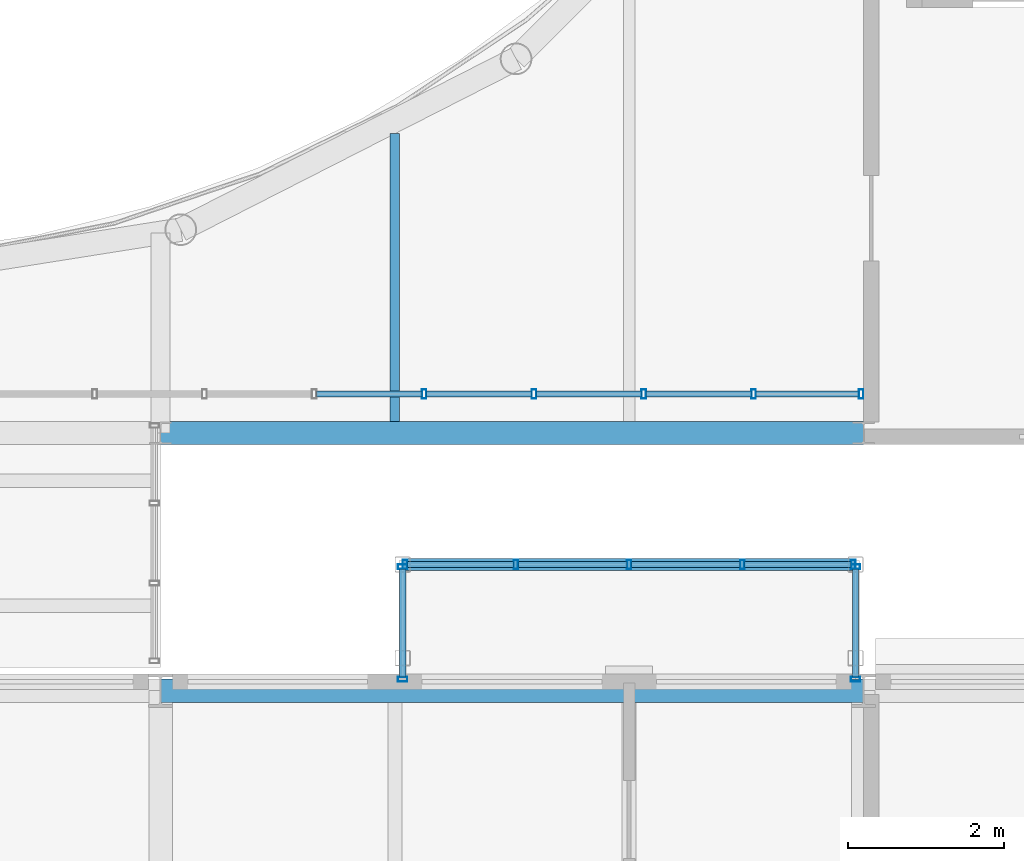
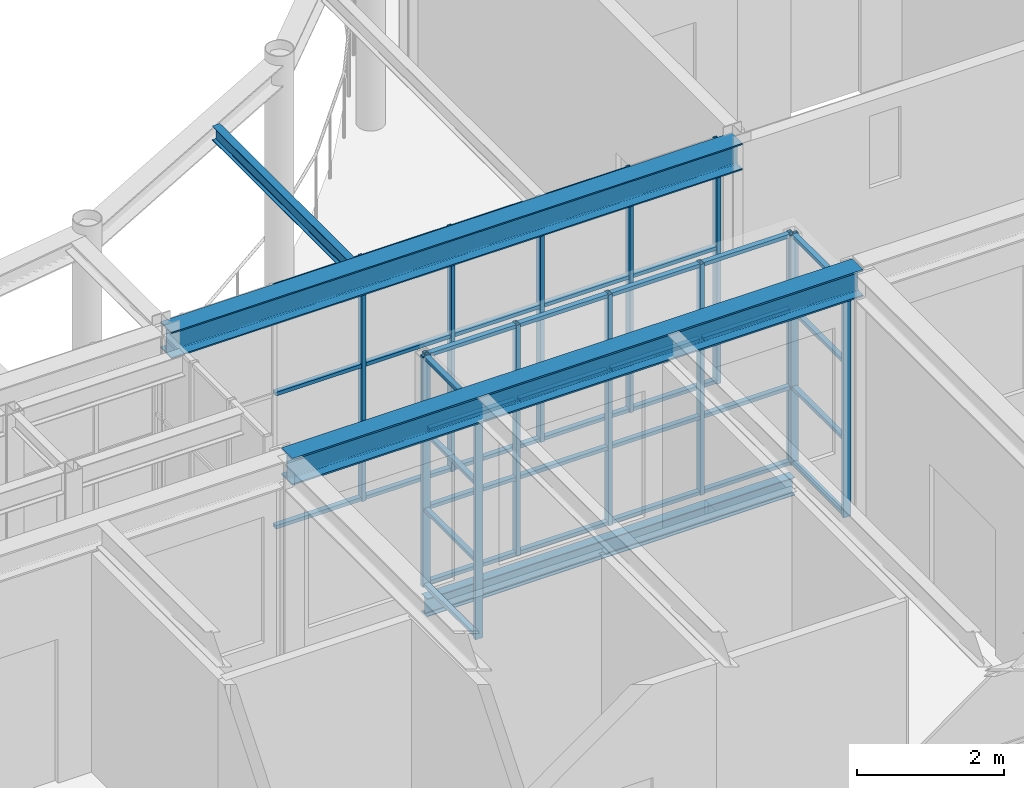
# One storey, part 32 of 70: 52 members, 4 beams, 4 elements without a shape of their own.
"""IFC4 building model written with IfcOpenShell, lengths in metres."""

import ifcopenshell
import ifcopenshell.guid

model = None  # the IFC model being written
_history = None  # IfcOwnerHistory: only IFC2X3 demands one
_inside = {}  # id of a spatial element -> (the spatial element, [elements in it])
_under = {}  # id of a project, library or spatial element -> (it, [spatial elements below it])
_declared = {}  # id of a project -> (the project, [libraries it declares])
_typed = {}  # id of a type object -> (the type object, [elements of that type])
_made_of = {}  # id of a material, layer set ... -> (it, [elements and type objects made of it])


def new_model(schema):
    """Start an empty IFC model of exactly this schema.

    Asked for "IFC4X3", IfcOpenShell would pick the latest addendum, in which some entities
    have other attributes; the version numbers below select the first issue.
    IFC2X3 requires an IfcOwnerHistory on every rooted entity: one is made here for all.
    """
    global model, _history
    if schema == "IFC4X3":
        model = ifcopenshell.file(schema_version=(4, 3, 0, 0))
    else:
        model = ifcopenshell.file(schema=schema)
    _inside.clear()
    _under.clear()
    _declared.clear()
    _typed.clear()
    _made_of.clear()
    _history = None
    if model.schema == "IFC2X3":
        org = make("IfcOrganization", Name="unknown")
        user = make(
            "IfcPersonAndOrganization",
            ThePerson=make("IfcPerson", FamilyName="unknown"),
            TheOrganization=org,
        )
        app = make(
            "IfcApplication",
            ApplicationDeveloper=org,
            Version="unknown",
            ApplicationFullName="unknown",
            ApplicationIdentifier="unknown",
        )
        _history = make(
            "IfcOwnerHistory",
            OwningUser=user,
            OwningApplication=app,
            ChangeAction="ADDED",
            CreationDate=0,
        )
    return model


def make(cls, **values):
    """One entity of the class cls with the attributes given. An attribute that is None is left unset."""
    return model.create_entity(
        cls, **{name: value for name, value in values.items() if value is not None}
    )


def rooted(cls, **values):
    """An entity with a GlobalId (a new one), such as an element, a storey or a relation."""
    return make(cls, GlobalId=ifcopenshell.guid.new(), OwnerHistory=_history, **values)


def si_unit(unit_type, name, prefix=None):
    """IfcSIUnit, for example si_unit("LENGTHUNIT", "METRE", prefix="MILLI")."""
    return make("IfcSIUnit", UnitType=unit_type, Prefix=prefix, Name=name)


def assignment(units):
    """IfcUnitAssignment: the units of a project."""
    return None if units is None else make("IfcUnitAssignment", Units=units)


def point(xyz):
    """IfcCartesianPoint."""
    return None if xyz is None else make("IfcCartesianPoint", Coordinates=xyz)


def direction(xyz):
    """IfcDirection."""
    return None if xyz is None else make("IfcDirection", DirectionRatios=xyz)


def frame(location, z_axis=None, x_axis=None):
    """IfcAxis2Placement3D, a coordinate frame: its origin and axes. An axis left out is left unset."""
    return make(
        "IfcAxis2Placement3D",
        Location=point(location),
        Axis=direction(z_axis),
        RefDirection=direction(x_axis),
    )


def frame_2d(location, x_axis=None):
    """IfcAxis2Placement2D, a coordinate frame in the plane: its origin and x axis."""
    return make(
        "IfcAxis2Placement2D", Location=point(location), RefDirection=direction(x_axis)
    )


def origin():
    """The frame at (0, 0, 0) with its axes left unset."""
    return frame((0.0, 0.0, 0.0))


def origin_2d():
    """The frame at (0, 0) in the plane with its x axis left unset."""
    return frame_2d((0.0, 0.0))


def place(relative_to, where):
    """IfcLocalPlacement: puts the frame where relative to a parent placement (None: the world)."""
    return make(
        "IfcLocalPlacement", PlacementRelTo=relative_to, RelativePlacement=where
    )


def context(
    kind, dimensions, precision=None, world=None, true_north=None, identifier=None
):
    """IfcGeometricRepresentationContext, for example the 3D "Model" context."""
    return make(
        "IfcGeometricRepresentationContext",
        ContextIdentifier=identifier,
        ContextType=kind,
        CoordinateSpaceDimension=dimensions,
        Precision=precision,
        WorldCoordinateSystem=world,
        TrueNorth=true_north,
    )


def subcontext(parent, identifier, kind, view, scale=None):
    """IfcGeometricRepresentationSubContext, for example "Body" below "Model"."""
    return make(
        "IfcGeometricRepresentationSubContext",
        ContextIdentifier=identifier,
        ContextType=kind,
        ParentContext=parent,
        TargetScale=scale,
        TargetView=view,
    )


def project(units=None, contexts=None):
    """IfcProject with its units and contexts."""
    return rooted(
        "IfcProject",
        Name="project",
        RepresentationContexts=contexts,
        UnitsInContext=assignment(units),
    )


def spatial(cls, under=None, at=None, **own):
    """A site, building, storey or space (cls), placed at a placement, below another one or the project."""
    s = rooted(cls, ObjectPlacement=at, **own)
    if under is not None:
        _under.setdefault(under.id(), (under, []))[1].append(s)
    return s


def profile(cls, at=None, kind="AREA", **sizes):
    """A parametric profile (cls). Its sizes go by their IFC names, for example OverallWidth=200.0."""
    return make(cls, ProfileType=kind, Position=at, **sizes)


def hollow_rectangle(**sizes):
    """IfcRectangleHollowProfileDef."""
    return profile("IfcRectangleHollowProfileDef", **sizes)


def i_section(**sizes):
    """IfcIShapeProfileDef."""
    return profile("IfcIShapeProfileDef", **sizes)


def extrude(swept, where, along, depth):
    """IfcExtrudedAreaSolid: the profile swept, set in the frame where, extruded along a direction by depth."""
    return make(
        "IfcExtrudedAreaSolid",
        SweptArea=swept,
        Position=where,
        ExtrudedDirection=direction(along),
        Depth=depth,
    )


def shape(context_of_items, identifier, shape_type, items):
    """IfcShapeRepresentation: the items that make up one representation, for example the "Body"."""
    return make(
        "IfcShapeRepresentation",
        ContextOfItems=context_of_items,
        RepresentationIdentifier=identifier,
        RepresentationType=shape_type,
        Items=items,
    )


def material(Name=None, Category=None):
    """IfcMaterial."""
    return make("IfcMaterial", Name=Name, Category=Category)


def layer(
    of_material, thickness, ventilated=None, Name=None, Category=None, Priority=None
):
    """IfcMaterialLayer: one layer of a wall or slab, of a material (None: an air gap)."""
    return make(
        "IfcMaterialLayer",
        Material=of_material,
        LayerThickness=thickness,
        IsVentilated=ventilated,
        Name=Name,
        Category=Category,
        Priority=Priority,
    )


def layer_set(layers, Name=None):
    """IfcMaterialLayerSet."""
    return make("IfcMaterialLayerSet", MaterialLayers=layers, LayerSetName=Name)


def material_profile(
    of_material, cross_section, Name=None, Category=None, Priority=None
):
    """IfcMaterialProfile: a cross section and its material."""
    return make(
        "IfcMaterialProfile",
        Name=Name,
        Material=of_material,
        Profile=cross_section,
        Priority=Priority,
        Category=Category,
    )


def profile_set(profiles, Name=None, composite=None):
    """IfcMaterialProfileSet."""
    return make(
        "IfcMaterialProfileSet",
        Name=Name,
        MaterialProfiles=profiles,
        CompositeProfile=composite,
    )


def made_of(thing, what):
    """Note that an element or type object is made of a material, layer set ...; save() writes the relation."""
    if what is not None:
        _made_of.setdefault(what.id(), (what, []))[1].append(thing)
    return thing


def type_object(cls, material=None, **own):
    """A type object (cls), such as IfcWallType, which elements share."""
    return made_of(rooted(cls, **own), material)


def element(
    cls,
    number,
    at=None,
    inside=None,
    cuts=None,
    type_object=None,
    material=None,
    context=None,
    identifier="Body",
    shape_type=None,
    held_by="IfcProductDefinitionShape",
    body=None,
    shapes=None,
    **own,
):
    """One element of the class cls, such as IfcWall. Its Tag is "e" and its number.

    at: its placement. inside: the storey or other place that contains it. cuts: it is an
    opening in that element (IfcRelVoidsElement). A single representation is given by context,
    identifier, shape_type and body (its items); several are given by shapes. held_by: the class
    of the entity that holds the representations. save() writes the other relations.
    """
    e = rooted(cls, Tag="e%d" % number, ObjectPlacement=at, **own)
    if body is not None:
        shapes = [shape(context, identifier, shape_type, body)]
    if shapes is not None:
        e.Representation = make(held_by, Representations=shapes)
    if inside is not None:
        _inside.setdefault(inside.id(), (inside, []))[1].append(e)
    if cuts is not None:
        rooted(
            "IfcRelVoidsElement", RelatingBuildingElement=cuts, RelatedOpeningElement=e
        )
    if type_object is not None:
        _typed.setdefault(type_object.id(), (type_object, []))[1].append(e)
    return made_of(e, material)


def aggregate(whole, parts):
    """IfcRelAggregates: a whole, such as a stair, and the parts it consists of."""
    return rooted("IfcRelAggregates", RelatingObject=whole, RelatedObjects=parts)


def save(model, path):
    """Write the relations noted so far, then the file.

    IfcRelAggregates (storeys below a building ...), IfcRelContainedInSpatialStructure (elements
    in a storey), IfcRelDefinesByType, IfcRelAssociatesMaterial and IfcRelDeclares: one each for
    every whole, place, type object, material and project.
    """
    for whole, parts in _under.values():
        aggregate(whole, parts)
    for where, things in _inside.values():
        rooted(
            "IfcRelContainedInSpatialStructure",
            RelatedElements=things,
            RelatingStructure=where,
        )
    for kind, things in _typed.values():
        rooted("IfcRelDefinesByType", RelatedObjects=things, RelatingType=kind)
    for what, things in _made_of.values():
        rooted("IfcRelAssociatesMaterial", RelatedObjects=things, RelatingMaterial=what)
    for by, libraries in _declared.values():
        rooted("IfcRelDeclares", RelatingContext=by, RelatedDefinitions=libraries)
    model.write(path)


model = new_model("IFC4")

# Units and contexts
model_context = context("Model", 3, precision=1e-05, world=origin(), true_north=direction((0.0, 1.0)))
body_context = subcontext(model_context, "Body", "Model", "MODEL_VIEW")
ifc_project = project(units=[si_unit("LENGTHUNIT", "METRE"), si_unit("AREAUNIT", "SQUARE_METRE"), si_unit("VOLUMEUNIT", "CUBIC_METRE"), si_unit("PLANEANGLEUNIT", "RADIAN"), si_unit("MASSUNIT", "GRAM", prefix="KILO")], contexts=[model_context])

# Site, building, storey
site_placement = place(None, origin())
site = spatial("IfcSite", under=ifc_project, at=site_placement, CompositionType="ELEMENT")
building_placement = place(site_placement, origin())
building = spatial("IfcBuilding", under=site, at=building_placement, Name="Kallimachos Central Library", CompositionType="ELEMENT")
storey_placement = place(building_placement, frame((0.0, 0.0, 18.89990234375)))
storey = spatial("IfcBuildingStorey", under=building, at=storey_placement, Name="L04", CompositionType="ELEMENT", Elevation=18.89990234375)

# Curtain wall, members
ifc_material_1 = material(Name="Anodised aluminium and laminated glass", Category="aluminium")
ifc_layer = layer(ifc_material_1, 0.159912109375)
ifc_layer_set = layer_set([ifc_layer], Name="Glass box curtain wall")
curtain_wall_type_1 = type_object("IfcCurtainWallType", Name="Glass box curtain wall", PredefinedType="NOTDEFINED", material=ifc_layer_set)
curtain_wall_1_placement = place(storey_placement, origin())
curtain_wall_1 = element("IfcCurtainWall", 1, at=curtain_wall_1_placement, inside=storey, type_object=curtain_wall_type_1, Name="Glass box curtain wall S L04", PredefinedType="NOTDEFINED")
ifc_material_2 = material(Name="Anodised aluminium", Category="aluminium")
ifc_material_profile_1 = material_profile(ifc_material_2, hollow_rectangle(XDim=0.06005859375, YDim=0.1201171875, WallThickness=0.00390625, at=origin_2d()), Name="ALU MULLION 60x120")
ifc_profile_set_1 = profile_set([ifc_material_profile_1], Name="Anodised aluminium")
member_type_1 = type_object("IfcMemberType", Name="Glass box mullion 60x120", PredefinedType="MULLION", material=ifc_profile_set_1)
member_1_placement = place(storey_placement, frame((95.875, 87.64990234375, 0.0), z_axis=(0.0, 0.0, 1.0), x_axis=(1.0, 0.0, 0.0)))
member_1 = element("IfcMember", 2, at=member_1_placement, type_object=member_type_1, Name="CW29 mullion 5", PredefinedType="MULLION", context=body_context, shape_type="SweptSolid", body=[
    extrude(hollow_rectangle(XDim=0.06005859375, YDim=0.1201171875, WallThickness=0.00390625, at=origin_2d()), origin(), (0.0, 0.0, 1.0), 4.050048828125),
])
member_2_placement = place(storey_placement, frame((97.28125, 87.64990234375, 0.0), z_axis=(0.0, 0.0, 1.0), x_axis=(1.0, 0.0, 0.0)))
member_2 = element("IfcMember", 3, at=member_2_placement, type_object=member_type_1, Name="CW29 mullion 6", PredefinedType="MULLION", context=body_context, shape_type="SweptSolid", body=[
    extrude(hollow_rectangle(XDim=0.06005859375, YDim=0.1201171875, WallThickness=0.00390625, at=origin_2d()), origin(), (0.0, 0.0, 1.0), 4.050048828125),
])
member_3_placement = place(storey_placement, frame((98.6875, 87.64990234375, 0.0), z_axis=(0.0, 0.0, 1.0), x_axis=(1.0, 0.0, 0.0)))
member_3 = element("IfcMember", 4, at=member_3_placement, type_object=member_type_1, Name="CW29 mullion 7", PredefinedType="MULLION", context=body_context, shape_type="SweptSolid", body=[
    extrude(hollow_rectangle(XDim=0.06005859375, YDim=0.1201171875, WallThickness=0.00390625, at=origin_2d()), origin(), (0.0, 0.0, 1.0), 4.050048828125),
])
member_4_placement = place(storey_placement, frame((100.09375, 87.64990234375, 0.0), z_axis=(0.0, 0.0, 1.0), x_axis=(1.0, 0.0, 0.0)))
member_4 = element("IfcMember", 5, at=member_4_placement, type_object=member_type_1, Name="CW29 mullion 8", PredefinedType="MULLION", context=body_context, shape_type="SweptSolid", body=[
    extrude(hollow_rectangle(XDim=0.06005859375, YDim=0.1201171875, WallThickness=0.00390625, at=origin_2d()), origin(), (0.0, 0.0, 1.0), 4.050048828125),
])
member_5_placement = place(storey_placement, frame((101.469970703125, 87.64990234375, 0.0), z_axis=(0.0, 0.0, 1.0), x_axis=(1.0, 0.0, 0.0)))
member_5 = element("IfcMember", 6, at=member_5_placement, type_object=member_type_1, Name="CW29 mullion 9", PredefinedType="MULLION", context=body_context, shape_type="SweptSolid", body=[
    extrude(hollow_rectangle(XDim=0.06005859375, YDim=0.1201171875, WallThickness=0.00390625, at=origin_2d()), origin(), (0.0, 0.0, 1.0), 4.050048828125),
])
ifc_material_3 = material(Name="Anodised aluminium", Category="aluminium")
ifc_material_profile_2 = material_profile(ifc_material_3, hollow_rectangle(XDim=0.06005859375, YDim=0.080078125, WallThickness=0.00390625, at=origin_2d()), Name="ALU TRANSOM 60x80")
ifc_profile_set_2 = profile_set([ifc_material_profile_2], Name="Anodised aluminium")
member_type_2 = type_object("IfcMemberType", Name="Glass box transom 60x80", PredefinedType="USERDEFINED", material=ifc_profile_set_2)
member_6_placement = place(storey_placement, frame((94.498779296875, 87.64990234375, 0.030029296875), z_axis=(1.0, 0.0, 0.0), x_axis=(0.0, 0.0, 1.0)))
member_6 = element("IfcMember", 7, at=member_6_placement, type_object=member_type_2, Name="CW29 transom 4.1", ObjectType="TRANSOM", PredefinedType="USERDEFINED", context=body_context, shape_type="SweptSolid", body=[
    extrude(hollow_rectangle(XDim=0.06005859375, YDim=0.080078125, WallThickness=0.00390625, at=origin_2d()), origin(), (0.0, 0.0, 1.0), 1.34619140625),
])
member_7_placement = place(storey_placement, frame((94.498779296875, 87.64990234375, 2.25), z_axis=(1.0, 0.0, 0.0), x_axis=(0.0, 0.0, 1.0)))
member_7 = element("IfcMember", 8, at=member_7_placement, type_object=member_type_2, Name="CW29 transom 4.2", ObjectType="TRANSOM", PredefinedType="USERDEFINED", context=body_context, shape_type="SweptSolid", body=[
    extrude(hollow_rectangle(XDim=0.06005859375, YDim=0.080078125, WallThickness=0.00390625, at=origin_2d()), origin(), (0.0, 0.0, 1.0), 1.34619140625),
])
member_8_placement = place(storey_placement, frame((94.498779296875, 87.64990234375, 4.02001953125), z_axis=(1.0, 0.0, 0.0), x_axis=(0.0, 0.0, 1.0)))
member_8 = element("IfcMember", 9, at=member_8_placement, type_object=member_type_2, Name="CW29 transom 4.3", ObjectType="TRANSOM", PredefinedType="USERDEFINED", context=body_context, shape_type="SweptSolid", body=[
    extrude(hollow_rectangle(XDim=0.06005859375, YDim=0.080078125, WallThickness=0.00390625, at=origin_2d()), origin(), (0.0, 0.0, 1.0), 1.34619140625),
])
member_9_placement = place(storey_placement, frame((95.905029296875, 87.64990234375, 0.030029296875), z_axis=(1.0, 0.0, 0.0), x_axis=(0.0, 0.0, 1.0)))
member_9 = element("IfcMember", 10, at=member_9_placement, type_object=member_type_2, Name="CW29 transom 5.1", ObjectType="TRANSOM", PredefinedType="USERDEFINED", context=body_context, shape_type="SweptSolid", body=[
    extrude(hollow_rectangle(XDim=0.06005859375, YDim=0.080078125, WallThickness=0.00390625, at=origin_2d()), origin(), (0.0, 0.0, 1.0), 1.34619140625),
])
member_10_placement = place(storey_placement, frame((95.905029296875, 87.64990234375, 2.25), z_axis=(1.0, 0.0, 0.0), x_axis=(0.0, 0.0, 1.0)))
member_10 = element("IfcMember", 11, at=member_10_placement, type_object=member_type_2, Name="CW29 transom 5.2", ObjectType="TRANSOM", PredefinedType="USERDEFINED", context=body_context, shape_type="SweptSolid", body=[
    extrude(hollow_rectangle(XDim=0.06005859375, YDim=0.080078125, WallThickness=0.00390625, at=origin_2d()), origin(), (0.0, 0.0, 1.0), 1.34619140625),
])
member_11_placement = place(storey_placement, frame((95.905029296875, 87.64990234375, 4.02001953125), z_axis=(1.0, 0.0, 0.0), x_axis=(0.0, 0.0, 1.0)))
member_11 = element("IfcMember", 12, at=member_11_placement, type_object=member_type_2, Name="CW29 transom 5.3", ObjectType="TRANSOM", PredefinedType="USERDEFINED", context=body_context, shape_type="SweptSolid", body=[
    extrude(hollow_rectangle(XDim=0.06005859375, YDim=0.080078125, WallThickness=0.00390625, at=origin_2d()), origin(), (0.0, 0.0, 1.0), 1.34619140625),
])
member_12_placement = place(storey_placement, frame((97.311279296875, 87.64990234375, 0.030029296875), z_axis=(1.0, 0.0, 0.0), x_axis=(0.0, 0.0, 1.0)))
member_12 = element("IfcMember", 13, at=member_12_placement, type_object=member_type_2, Name="CW29 transom 6.1", ObjectType="TRANSOM", PredefinedType="USERDEFINED", context=body_context, shape_type="SweptSolid", body=[
    extrude(hollow_rectangle(XDim=0.06005859375, YDim=0.080078125, WallThickness=0.00390625, at=origin_2d()), origin(), (0.0, 0.0, 1.0), 1.34619140625),
])
member_13_placement = place(storey_placement, frame((97.311279296875, 87.64990234375, 2.25), z_axis=(1.0, 0.0, 0.0), x_axis=(0.0, 0.0, 1.0)))
member_13 = element("IfcMember", 14, at=member_13_placement, type_object=member_type_2, Name="CW29 transom 6.2", ObjectType="TRANSOM", PredefinedType="USERDEFINED", context=body_context, shape_type="SweptSolid", body=[
    extrude(hollow_rectangle(XDim=0.06005859375, YDim=0.080078125, WallThickness=0.00390625, at=origin_2d()), origin(), (0.0, 0.0, 1.0), 1.34619140625),
])
member_14_placement = place(storey_placement, frame((97.311279296875, 87.64990234375, 4.02001953125), z_axis=(1.0, 0.0, 0.0), x_axis=(0.0, 0.0, 1.0)))
member_14 = element("IfcMember", 15, at=member_14_placement, type_object=member_type_2, Name="CW29 transom 6.3", ObjectType="TRANSOM", PredefinedType="USERDEFINED", context=body_context, shape_type="SweptSolid", body=[
    extrude(hollow_rectangle(XDim=0.06005859375, YDim=0.080078125, WallThickness=0.00390625, at=origin_2d()), origin(), (0.0, 0.0, 1.0), 1.34619140625),
])
member_15_placement = place(storey_placement, frame((98.717529296875, 87.64990234375, 0.030029296875), z_axis=(1.0, 0.0, 0.0), x_axis=(0.0, 0.0, 1.0)))
member_15 = element("IfcMember", 16, at=member_15_placement, type_object=member_type_2, Name="CW29 transom 7.1", ObjectType="TRANSOM", PredefinedType="USERDEFINED", context=body_context, shape_type="SweptSolid", body=[
    extrude(hollow_rectangle(XDim=0.06005859375, YDim=0.080078125, WallThickness=0.00390625, at=origin_2d()), origin(), (0.0, 0.0, 1.0), 1.34619140625),
])
member_16_placement = place(storey_placement, frame((98.717529296875, 87.64990234375, 2.25), z_axis=(1.0, 0.0, 0.0), x_axis=(0.0, 0.0, 1.0)))
member_16 = element("IfcMember", 17, at=member_16_placement, type_object=member_type_2, Name="CW29 transom 7.2", ObjectType="TRANSOM", PredefinedType="USERDEFINED", context=body_context, shape_type="SweptSolid", body=[
    extrude(hollow_rectangle(XDim=0.06005859375, YDim=0.080078125, WallThickness=0.00390625, at=origin_2d()), origin(), (0.0, 0.0, 1.0), 1.34619140625),
])
member_17_placement = place(storey_placement, frame((98.717529296875, 87.64990234375, 4.02001953125), z_axis=(1.0, 0.0, 0.0), x_axis=(0.0, 0.0, 1.0)))
member_17 = element("IfcMember", 18, at=member_17_placement, type_object=member_type_2, Name="CW29 transom 7.3", ObjectType="TRANSOM", PredefinedType="USERDEFINED", context=body_context, shape_type="SweptSolid", body=[
    extrude(hollow_rectangle(XDim=0.06005859375, YDim=0.080078125, WallThickness=0.00390625, at=origin_2d()), origin(), (0.0, 0.0, 1.0), 1.34619140625),
])
member_18_placement = place(storey_placement, frame((100.123779296875, 87.64990234375, 0.030029296875), z_axis=(1.0, 0.0, 0.0), x_axis=(0.0, 0.0, 1.0)))
member_18 = element("IfcMember", 19, at=member_18_placement, type_object=member_type_2, Name="CW29 transom 8.1", ObjectType="TRANSOM", PredefinedType="USERDEFINED", context=body_context, shape_type="SweptSolid", body=[
    extrude(hollow_rectangle(XDim=0.06005859375, YDim=0.080078125, WallThickness=0.00390625, at=origin_2d()), origin(), (0.0, 0.0, 1.0), 1.316162109375),
])
member_19_placement = place(storey_placement, frame((100.123779296875, 87.64990234375, 2.25), z_axis=(1.0, 0.0, 0.0), x_axis=(0.0, 0.0, 1.0)))
member_19 = element("IfcMember", 20, at=member_19_placement, type_object=member_type_2, Name="CW29 transom 8.2", ObjectType="TRANSOM", PredefinedType="USERDEFINED", context=body_context, shape_type="SweptSolid", body=[
    extrude(hollow_rectangle(XDim=0.06005859375, YDim=0.080078125, WallThickness=0.00390625, at=origin_2d()), origin(), (0.0, 0.0, 1.0), 1.316162109375),
])
aggregate(curtain_wall_1, [member_1, member_2, member_3, member_4, member_5, member_6, member_7, member_8, member_9, member_10, member_11, member_12, member_13, member_14, member_15, member_16, member_17, member_18, member_19])

# Beams
ifc_material_4 = material(Name="Steel S355J2", Category="steel")
ifc_material_profile_3 = material_profile(ifc_material_4, i_section(OverallWidth=0.300048828125, OverallDepth=0.43994140625, WebThickness=0.011474609375, FlangeThickness=0.02099609375, FilletRadius=0.027099609375, at=origin_2d()), Name="HEA 450")
ifc_profile_set_3 = profile_set([ifc_material_profile_3], Name="Steel S355J2")
beam_type_1 = type_object("IfcBeamType", Name="HEA 450 beam", PredefinedType="BEAM", material=ifc_profile_set_3)
beam_1_placement = place(storey_placement, frame((92.5, 87.14990234375, 4.130126953125), z_axis=(1.0, 0.0, 0.0), x_axis=(0.0, 1.0, 0.0)))
element("IfcBeam", 21, at=beam_1_placement, inside=storey, type_object=beam_type_1, Name="V1-BEM-L04-041", PredefinedType="BEAM", context=body_context, shape_type="SweptSolid", body=[
    extrude(i_section(OverallWidth=0.300048828125, OverallDepth=0.43994140625, WebThickness=0.011474609375, FlangeThickness=0.02099609375, FilletRadius=0.027099609375, at=origin_2d()), origin(), (0.0, 0.0, 1.0), 9.0),
])
ifc_material_5 = material(Name="Steel S355J2", Category="steel")
ifc_material_profile_4 = material_profile(ifc_material_5, i_section(OverallWidth=0.300048828125, OverallDepth=0.449951171875, WebThickness=0.013916015625, FlangeThickness=0.02587890625, FilletRadius=0.027099609375, at=origin_2d()), Name="HEB 450")
ifc_profile_set_4 = profile_set([ifc_material_profile_4], Name="Steel S355J2")
beam_type_2 = type_object("IfcBeamType", Name="HEB 450 beam", PredefinedType="BEAM", material=ifc_profile_set_4)
beam_2_placement = place(storey_placement, frame((92.5, 83.85009765625, 4.025146484375), z_axis=(1.0, 0.0, 0.0), x_axis=(0.0, 1.0, 0.0)))
element("IfcBeam", 22, at=beam_2_placement, inside=storey, type_object=beam_type_2, Name="V4-BEM-L04-007", PredefinedType="BEAM", context=body_context, shape_type="SweptSolid", body=[
    extrude(i_section(OverallWidth=0.300048828125, OverallDepth=0.449951171875, WebThickness=0.013916015625, FlangeThickness=0.02587890625, FilletRadius=0.027099609375, at=origin_2d()), origin(), (0.0, 0.0, 1.0), 9.0),
])
ifc_material_6 = material(Name="Steel S355J2", Category="steel")
ifc_material_profile_5 = material_profile(ifc_material_6, i_section(OverallWidth=0.1201171875, OverallDepth=0.239990234375, WebThickness=0.006103515625, FlangeThickness=0.009765625, FilletRadius=0.014892578125, at=origin_2d()), Name="IPE 240")
ifc_profile_set_5 = profile_set([ifc_material_profile_5], Name="Steel S355J2")
beam_type_3 = type_object("IfcBeamType", Name="IPE 240 beam", PredefinedType="BEAM", material=ifc_profile_set_5)
beam_3_placement = place(storey_placement, frame((95.5, 87.300048828125, 4.22998046875), z_axis=(0.0, 1.0, 0.0), x_axis=(-1.0, 0.0, 0.0)))
element("IfcBeam", 23, at=beam_3_placement, inside=storey, type_object=beam_type_3, Name="V1-BEM-L04-061", PredefinedType="BEAM", context=body_context, shape_type="SweptSolid", body=[
    extrude(i_section(OverallWidth=0.1201171875, OverallDepth=0.239990234375, WebThickness=0.006103515625, FlangeThickness=0.009765625, FilletRadius=0.014892578125, at=origin_2d()), origin(), (0.0, 0.0, 1.0), 3.681884765625),
])
ifc_material_7 = material(Name="Steel S355J2", Category="steel")
ifc_material_profile_6 = material_profile(ifc_material_7, i_section(OverallWidth=0.14990234375, OverallDepth=0.300048828125, WebThickness=0.007080078125, FlangeThickness=0.0107421875, FilletRadius=0.014892578125, at=origin_2d()), Name="IPE 300")
ifc_profile_set_6 = profile_set([ifc_material_profile_6], Name="Steel S355J2")
beam_type_4 = type_object("IfcBeamType", Name="IPE 300 beam", PredefinedType="BEAM", material=ifc_profile_set_6)
beam_4_placement = place(storey_placement, frame((95.60009765625, 85.466064453125, -0.349853515625), z_axis=(1.0, 0.0, 0.0), x_axis=(0.0, 1.0, 0.0)))
element("IfcBeam", 24, at=beam_4_placement, inside=storey, type_object=beam_type_4, Name="Tribune bay N2 edge beam L04", PredefinedType="BEAM", context=body_context, shape_type="SweptSolid", body=[
    extrude(i_section(OverallWidth=0.14990234375, OverallDepth=0.300048828125, WebThickness=0.007080078125, FlangeThickness=0.0107421875, FilletRadius=0.014892578125, at=origin_2d()), origin(), (0.0, 0.0, 1.0), 5.7998046875),
])

# Curtain wall, members
ifc_material_8 = material(Name="Aluminium and laminated glass", Category="aluminium")
curtain_wall_type_2 = type_object("IfcCurtainWallType", Name="Tribune bay glazed screen", PredefinedType="NOTDEFINED", material=ifc_material_8)
curtain_wall_2_placement = place(storey_placement, origin())
curtain_wall_2 = element("IfcCurtainWall", 25, at=curtain_wall_2_placement, inside=storey, type_object=curtain_wall_type_2, Name="Tribune bay N2 L04 front", PredefinedType="NOTDEFINED")
ifc_material_9 = material(Name="Anodised aluminium", Category="aluminium")
ifc_material_profile_7 = material_profile(ifc_material_9, hollow_rectangle(XDim=0.06005859375, YDim=0.1201171875, WallThickness=0.00390625, at=origin_2d()), Name="ALU MULLION 60x120")
ifc_profile_set_7 = profile_set([ifc_material_profile_7], Name="Anodised aluminium")
member_type_3 = type_object("IfcMemberType", Name="Tribune bay mullion", PredefinedType="MULLION", material=ifc_profile_set_7)
member_20_placement = place(storey_placement, frame((95.6298828125, 85.466064453125, 0.0), z_axis=(0.0, 0.0, 1.0), x_axis=(1.0, 0.0, 0.0)))
member_20 = element("IfcMember", 26, at=member_20_placement, type_object=member_type_3, Name="CW mullion 1", PredefinedType="MULLION", context=body_context, shape_type="SweptSolid", body=[
    extrude(hollow_rectangle(XDim=0.06005859375, YDim=0.1201171875, WallThickness=0.00390625, at=origin_2d()), origin(), (0.0, 0.0, 1.0), 3.85009765625),
])
member_21_placement = place(storey_placement, frame((97.050048828125, 85.466064453125, 0.0), z_axis=(0.0, 0.0, 1.0), x_axis=(1.0, 0.0, 0.0)))
member_21 = element("IfcMember", 27, at=member_21_placement, type_object=member_type_3, Name="CW mullion 2", PredefinedType="MULLION", context=body_context, shape_type="SweptSolid", body=[
    extrude(hollow_rectangle(XDim=0.06005859375, YDim=0.1201171875, WallThickness=0.00390625, at=origin_2d()), origin(), (0.0, 0.0, 1.0), 3.85009765625),
])
member_22_placement = place(storey_placement, frame((98.5, 85.466064453125, 0.0), z_axis=(0.0, 0.0, 1.0), x_axis=(1.0, 0.0, 0.0)))
member_22 = element("IfcMember", 28, at=member_22_placement, type_object=member_type_3, Name="CW mullion 3", PredefinedType="MULLION", context=body_context, shape_type="SweptSolid", body=[
    extrude(hollow_rectangle(XDim=0.06005859375, YDim=0.1201171875, WallThickness=0.00390625, at=origin_2d()), origin(), (0.0, 0.0, 1.0), 3.85009765625),
])
member_23_placement = place(storey_placement, frame((99.949951171875, 85.466064453125, 0.0), z_axis=(0.0, 0.0, 1.0), x_axis=(1.0, 0.0, 0.0)))
member_23 = element("IfcMember", 29, at=member_23_placement, type_object=member_type_3, Name="CW mullion 4", PredefinedType="MULLION", context=body_context, shape_type="SweptSolid", body=[
    extrude(hollow_rectangle(XDim=0.06005859375, YDim=0.1201171875, WallThickness=0.00390625, at=origin_2d()), origin(), (0.0, 0.0, 1.0), 3.85009765625),
])
member_24_placement = place(storey_placement, frame((101.3701171875, 85.466064453125, 0.0), z_axis=(0.0, 0.0, 1.0), x_axis=(1.0, 0.0, 0.0)))
member_24 = element("IfcMember", 30, at=member_24_placement, type_object=member_type_3, Name="CW mullion 5", PredefinedType="MULLION", context=body_context, shape_type="SweptSolid", body=[
    extrude(hollow_rectangle(XDim=0.06005859375, YDim=0.1201171875, WallThickness=0.00390625, at=origin_2d()), origin(), (0.0, 0.0, 1.0), 3.85009765625),
])

curtain_wall_3_placement = place(storey_placement, origin())
curtain_wall_3 = element("IfcCurtainWall", 31, at=curtain_wall_3_placement, inside=storey, type_object=curtain_wall_type_2, Name="Tribune bay N2 L04 return 1", PredefinedType="NOTDEFINED")
member_25_placement = place(storey_placement, frame((95.60009765625, 83.99609375, 0.0), z_axis=(0.0, 0.0, 1.0), x_axis=(0.0, 1.0, 0.0)))
member_25 = element("IfcMember", 32, at=member_25_placement, type_object=member_type_3, Name="CW mullion 1", PredefinedType="MULLION", context=body_context, shape_type="SweptSolid", body=[
    extrude(hollow_rectangle(XDim=0.06005859375, YDim=0.1201171875, WallThickness=0.00390625, at=origin_2d()), origin(), (0.0, 0.0, 1.0), 3.85009765625),
])
member_26_placement = place(storey_placement, frame((95.60009765625, 85.43603515625, 0.0), z_axis=(0.0, 0.0, 1.0), x_axis=(0.0, 1.0, 0.0)))
member_26 = element("IfcMember", 33, at=member_26_placement, type_object=member_type_3, Name="CW mullion 2", PredefinedType="MULLION", context=body_context, shape_type="SweptSolid", body=[
    extrude(hollow_rectangle(XDim=0.06005859375, YDim=0.1201171875, WallThickness=0.00390625, at=origin_2d()), origin(), (0.0, 0.0, 1.0), 3.85009765625),
])

curtain_wall_4_placement = place(storey_placement, origin())
curtain_wall_4 = element("IfcCurtainWall", 34, at=curtain_wall_4_placement, inside=storey, type_object=curtain_wall_type_2, Name="Tribune bay N2 L04 return 2", PredefinedType="NOTDEFINED")
member_27_placement = place(storey_placement, frame((101.39990234375, 83.99609375, 0.0), z_axis=(0.0, 0.0, 1.0), x_axis=(0.0, 1.0, 0.0)))
member_27 = element("IfcMember", 35, at=member_27_placement, type_object=member_type_3, Name="CW mullion 1", PredefinedType="MULLION", context=body_context, shape_type="SweptSolid", body=[
    extrude(hollow_rectangle(XDim=0.06005859375, YDim=0.1201171875, WallThickness=0.00390625, at=origin_2d()), origin(), (0.0, 0.0, 1.0), 3.85009765625),
])
member_28_placement = place(storey_placement, frame((101.39990234375, 85.43603515625, 0.0), z_axis=(0.0, 0.0, 1.0), x_axis=(0.0, 1.0, 0.0)))
member_28 = element("IfcMember", 36, at=member_28_placement, type_object=member_type_3, Name="CW mullion 2", PredefinedType="MULLION", context=body_context, shape_type="SweptSolid", body=[
    extrude(hollow_rectangle(XDim=0.06005859375, YDim=0.1201171875, WallThickness=0.00390625, at=origin_2d()), origin(), (0.0, 0.0, 1.0), 3.85009765625),
])

# Member
ifc_material_10 = material(Name="Anodised aluminium", Category="aluminium")
ifc_material_profile_8 = material_profile(ifc_material_10, hollow_rectangle(XDim=0.06005859375, YDim=0.080078125, WallThickness=0.00390625, at=origin_2d()), Name="ALU TRANSOM 60x80")
ifc_profile_set_8 = profile_set([ifc_material_profile_8], Name="Anodised aluminium")
member_type_4 = type_object("IfcMemberType", Name="Tribune bay transom", PredefinedType="USERDEFINED", material=ifc_profile_set_8)
member_29_placement = place(storey_placement, frame((95.659912109375, 85.466064453125, 0.030029296875), z_axis=(1.0, 0.0, 0.0), x_axis=(0.0, 0.0, 1.0)))
member_29 = element("IfcMember", 37, at=member_29_placement, type_object=member_type_4, Name="CW transom 1.1", ObjectType="TRANSOM", PredefinedType="USERDEFINED", context=body_context, shape_type="SweptSolid", body=[
    extrude(hollow_rectangle(XDim=0.06005859375, YDim=0.080078125, WallThickness=0.00390625, at=origin_2d()), origin(), (0.0, 0.0, 1.0), 1.360107421875),
])

member_30_placement = place(storey_placement, frame((95.659912109375, 85.466064453125, 1.283447265625), z_axis=(1.0, 0.0, 0.0), x_axis=(0.0, 0.0, 1.0)))
member_30 = element("IfcMember", 38, at=member_30_placement, type_object=member_type_4, Name="CW transom 1.2", ObjectType="TRANSOM", PredefinedType="USERDEFINED", context=body_context, shape_type="SweptSolid", body=[
    extrude(hollow_rectangle(XDim=0.06005859375, YDim=0.080078125, WallThickness=0.00390625, at=origin_2d()), origin(), (0.0, 0.0, 1.0), 1.360107421875),
])

member_31_placement = place(storey_placement, frame((95.659912109375, 85.466064453125, 2.566650390625), z_axis=(1.0, 0.0, 0.0), x_axis=(0.0, 0.0, 1.0)))
member_31 = element("IfcMember", 39, at=member_31_placement, type_object=member_type_4, Name="CW transom 1.3", ObjectType="TRANSOM", PredefinedType="USERDEFINED", context=body_context, shape_type="SweptSolid", body=[
    extrude(hollow_rectangle(XDim=0.06005859375, YDim=0.080078125, WallThickness=0.00390625, at=origin_2d()), origin(), (0.0, 0.0, 1.0), 1.360107421875),
])

member_32_placement = place(storey_placement, frame((95.659912109375, 85.466064453125, 3.820068359375), z_axis=(1.0, 0.0, 0.0), x_axis=(0.0, 0.0, 1.0)))
member_32 = element("IfcMember", 40, at=member_32_placement, type_object=member_type_4, Name="CW transom 1.4", ObjectType="TRANSOM", PredefinedType="USERDEFINED", context=body_context, shape_type="SweptSolid", body=[
    extrude(hollow_rectangle(XDim=0.06005859375, YDim=0.080078125, WallThickness=0.00390625, at=origin_2d()), origin(), (0.0, 0.0, 1.0), 1.360107421875),
])

member_33_placement = place(storey_placement, frame((97.080078125, 85.466064453125, 0.030029296875), z_axis=(1.0, 0.0, 0.0), x_axis=(0.0, 0.0, 1.0)))
member_33 = element("IfcMember", 41, at=member_33_placement, type_object=member_type_4, Name="CW transom 2.1", ObjectType="TRANSOM", PredefinedType="USERDEFINED", context=body_context, shape_type="SweptSolid", body=[
    extrude(hollow_rectangle(XDim=0.06005859375, YDim=0.080078125, WallThickness=0.00390625, at=origin_2d()), origin(), (0.0, 0.0, 1.0), 1.389892578125),
])

member_34_placement = place(storey_placement, frame((97.080078125, 85.466064453125, 1.283447265625), z_axis=(1.0, 0.0, 0.0), x_axis=(0.0, 0.0, 1.0)))
member_34 = element("IfcMember", 42, at=member_34_placement, type_object=member_type_4, Name="CW transom 2.2", ObjectType="TRANSOM", PredefinedType="USERDEFINED", context=body_context, shape_type="SweptSolid", body=[
    extrude(hollow_rectangle(XDim=0.06005859375, YDim=0.080078125, WallThickness=0.00390625, at=origin_2d()), origin(), (0.0, 0.0, 1.0), 1.389892578125),
])

member_35_placement = place(storey_placement, frame((97.080078125, 85.466064453125, 2.566650390625), z_axis=(1.0, 0.0, 0.0), x_axis=(0.0, 0.0, 1.0)))
member_35 = element("IfcMember", 43, at=member_35_placement, type_object=member_type_4, Name="CW transom 2.3", ObjectType="TRANSOM", PredefinedType="USERDEFINED", context=body_context, shape_type="SweptSolid", body=[
    extrude(hollow_rectangle(XDim=0.06005859375, YDim=0.080078125, WallThickness=0.00390625, at=origin_2d()), origin(), (0.0, 0.0, 1.0), 1.389892578125),
])

member_36_placement = place(storey_placement, frame((97.080078125, 85.466064453125, 3.820068359375), z_axis=(1.0, 0.0, 0.0), x_axis=(0.0, 0.0, 1.0)))
member_36 = element("IfcMember", 44, at=member_36_placement, type_object=member_type_4, Name="CW transom 2.4", ObjectType="TRANSOM", PredefinedType="USERDEFINED", context=body_context, shape_type="SweptSolid", body=[
    extrude(hollow_rectangle(XDim=0.06005859375, YDim=0.080078125, WallThickness=0.00390625, at=origin_2d()), origin(), (0.0, 0.0, 1.0), 1.389892578125),
])

member_37_placement = place(storey_placement, frame((98.530029296875, 85.466064453125, 0.030029296875), z_axis=(1.0, 0.0, 0.0), x_axis=(0.0, 0.0, 1.0)))
member_37 = element("IfcMember", 45, at=member_37_placement, type_object=member_type_4, Name="CW transom 3.1", ObjectType="TRANSOM", PredefinedType="USERDEFINED", context=body_context, shape_type="SweptSolid", body=[
    extrude(hollow_rectangle(XDim=0.06005859375, YDim=0.080078125, WallThickness=0.00390625, at=origin_2d()), origin(), (0.0, 0.0, 1.0), 1.389892578125),
])

member_38_placement = place(storey_placement, frame((98.530029296875, 85.466064453125, 1.283447265625), z_axis=(1.0, 0.0, 0.0), x_axis=(0.0, 0.0, 1.0)))
member_38 = element("IfcMember", 46, at=member_38_placement, type_object=member_type_4, Name="CW transom 3.2", ObjectType="TRANSOM", PredefinedType="USERDEFINED", context=body_context, shape_type="SweptSolid", body=[
    extrude(hollow_rectangle(XDim=0.06005859375, YDim=0.080078125, WallThickness=0.00390625, at=origin_2d()), origin(), (0.0, 0.0, 1.0), 1.389892578125),
])

member_39_placement = place(storey_placement, frame((98.530029296875, 85.466064453125, 2.566650390625), z_axis=(1.0, 0.0, 0.0), x_axis=(0.0, 0.0, 1.0)))
member_39 = element("IfcMember", 47, at=member_39_placement, type_object=member_type_4, Name="CW transom 3.3", ObjectType="TRANSOM", PredefinedType="USERDEFINED", context=body_context, shape_type="SweptSolid", body=[
    extrude(hollow_rectangle(XDim=0.06005859375, YDim=0.080078125, WallThickness=0.00390625, at=origin_2d()), origin(), (0.0, 0.0, 1.0), 1.389892578125),
])

member_40_placement = place(storey_placement, frame((98.530029296875, 85.466064453125, 3.820068359375), z_axis=(1.0, 0.0, 0.0), x_axis=(0.0, 0.0, 1.0)))
member_40 = element("IfcMember", 48, at=member_40_placement, type_object=member_type_4, Name="CW transom 3.4", ObjectType="TRANSOM", PredefinedType="USERDEFINED", context=body_context, shape_type="SweptSolid", body=[
    extrude(hollow_rectangle(XDim=0.06005859375, YDim=0.080078125, WallThickness=0.00390625, at=origin_2d()), origin(), (0.0, 0.0, 1.0), 1.389892578125),
])

member_41_placement = place(storey_placement, frame((99.97998046875, 85.466064453125, 0.030029296875), z_axis=(1.0, 0.0, 0.0), x_axis=(0.0, 0.0, 1.0)))
member_41 = element("IfcMember", 49, at=member_41_placement, type_object=member_type_4, Name="CW transom 4.1", ObjectType="TRANSOM", PredefinedType="USERDEFINED", context=body_context, shape_type="SweptSolid", body=[
    extrude(hollow_rectangle(XDim=0.06005859375, YDim=0.080078125, WallThickness=0.00390625, at=origin_2d()), origin(), (0.0, 0.0, 1.0), 1.360107421875),
])

member_42_placement = place(storey_placement, frame((99.97998046875, 85.466064453125, 1.283447265625), z_axis=(1.0, 0.0, 0.0), x_axis=(0.0, 0.0, 1.0)))
member_42 = element("IfcMember", 50, at=member_42_placement, type_object=member_type_4, Name="CW transom 4.2", ObjectType="TRANSOM", PredefinedType="USERDEFINED", context=body_context, shape_type="SweptSolid", body=[
    extrude(hollow_rectangle(XDim=0.06005859375, YDim=0.080078125, WallThickness=0.00390625, at=origin_2d()), origin(), (0.0, 0.0, 1.0), 1.360107421875),
])

member_43_placement = place(storey_placement, frame((99.97998046875, 85.466064453125, 2.566650390625), z_axis=(1.0, 0.0, 0.0), x_axis=(0.0, 0.0, 1.0)))
member_43 = element("IfcMember", 51, at=member_43_placement, type_object=member_type_4, Name="CW transom 4.3", ObjectType="TRANSOM", PredefinedType="USERDEFINED", context=body_context, shape_type="SweptSolid", body=[
    extrude(hollow_rectangle(XDim=0.06005859375, YDim=0.080078125, WallThickness=0.00390625, at=origin_2d()), origin(), (0.0, 0.0, 1.0), 1.360107421875),
])

member_44_placement = place(storey_placement, frame((99.97998046875, 85.466064453125, 3.820068359375), z_axis=(1.0, 0.0, 0.0), x_axis=(0.0, 0.0, 1.0)))
member_44 = element("IfcMember", 52, at=member_44_placement, type_object=member_type_4, Name="CW transom 4.4", ObjectType="TRANSOM", PredefinedType="USERDEFINED", context=body_context, shape_type="SweptSolid", body=[
    extrude(hollow_rectangle(XDim=0.06005859375, YDim=0.080078125, WallThickness=0.00390625, at=origin_2d()), origin(), (0.0, 0.0, 1.0), 1.360107421875),
])

aggregate(curtain_wall_2, [member_20, member_21, member_22, member_23, member_24, member_29, member_30, member_31, member_32, member_33, member_34, member_35, member_36, member_37, member_38, member_39, member_40, member_41, member_42, member_43, member_44])

member_45_placement = place(storey_placement, frame((95.60009765625, 84.02587890625, 0.030029296875), z_axis=(0.0, 1.0, 0.0), x_axis=(0.0, 0.0, 1.0)))
member_45 = element("IfcMember", 53, at=member_45_placement, type_object=member_type_4, Name="CW transom 1.1", ObjectType="TRANSOM", PredefinedType="USERDEFINED", context=body_context, shape_type="SweptSolid", body=[
    extrude(hollow_rectangle(XDim=0.06005859375, YDim=0.080078125, WallThickness=0.00390625, at=origin_2d()), origin(), (0.0, 0.0, 1.0), 1.380126953125),
])

member_46_placement = place(storey_placement, frame((95.60009765625, 84.02587890625, 1.283447265625), z_axis=(0.0, 1.0, 0.0), x_axis=(0.0, 0.0, 1.0)))
member_46 = element("IfcMember", 54, at=member_46_placement, type_object=member_type_4, Name="CW transom 1.2", ObjectType="TRANSOM", PredefinedType="USERDEFINED", context=body_context, shape_type="SweptSolid", body=[
    extrude(hollow_rectangle(XDim=0.06005859375, YDim=0.080078125, WallThickness=0.00390625, at=origin_2d()), origin(), (0.0, 0.0, 1.0), 1.380126953125),
])

member_47_placement = place(storey_placement, frame((95.60009765625, 84.02587890625, 2.566650390625), z_axis=(0.0, 1.0, 0.0), x_axis=(0.0, 0.0, 1.0)))
member_47 = element("IfcMember", 55, at=member_47_placement, type_object=member_type_4, Name="CW transom 1.3", ObjectType="TRANSOM", PredefinedType="USERDEFINED", context=body_context, shape_type="SweptSolid", body=[
    extrude(hollow_rectangle(XDim=0.06005859375, YDim=0.080078125, WallThickness=0.00390625, at=origin_2d()), origin(), (0.0, 0.0, 1.0), 1.380126953125),
])

member_48_placement = place(storey_placement, frame((95.60009765625, 84.02587890625, 3.820068359375), z_axis=(0.0, 1.0, 0.0), x_axis=(0.0, 0.0, 1.0)))
member_48 = element("IfcMember", 56, at=member_48_placement, type_object=member_type_4, Name="CW transom 1.4", ObjectType="TRANSOM", PredefinedType="USERDEFINED", context=body_context, shape_type="SweptSolid", body=[
    extrude(hollow_rectangle(XDim=0.06005859375, YDim=0.080078125, WallThickness=0.00390625, at=origin_2d()), origin(), (0.0, 0.0, 1.0), 1.380126953125),
])

aggregate(curtain_wall_3, [member_25, member_26, member_45, member_46, member_47, member_48])

member_49_placement = place(storey_placement, frame((101.39990234375, 84.02587890625, 0.030029296875), z_axis=(0.0, 1.0, 0.0), x_axis=(0.0, 0.0, 1.0)))
member_49 = element("IfcMember", 57, at=member_49_placement, type_object=member_type_4, Name="CW transom 1.1", ObjectType="TRANSOM", PredefinedType="USERDEFINED", context=body_context, shape_type="SweptSolid", body=[
    extrude(hollow_rectangle(XDim=0.06005859375, YDim=0.080078125, WallThickness=0.00390625, at=origin_2d()), origin(), (0.0, 0.0, 1.0), 1.380126953125),
])

member_50_placement = place(storey_placement, frame((101.39990234375, 84.02587890625, 1.283447265625), z_axis=(0.0, 1.0, 0.0), x_axis=(0.0, 0.0, 1.0)))
member_50 = element("IfcMember", 58, at=member_50_placement, type_object=member_type_4, Name="CW transom 1.2", ObjectType="TRANSOM", PredefinedType="USERDEFINED", context=body_context, shape_type="SweptSolid", body=[
    extrude(hollow_rectangle(XDim=0.06005859375, YDim=0.080078125, WallThickness=0.00390625, at=origin_2d()), origin(), (0.0, 0.0, 1.0), 1.380126953125),
])

member_51_placement = place(storey_placement, frame((101.39990234375, 84.02587890625, 2.566650390625), z_axis=(0.0, 1.0, 0.0), x_axis=(0.0, 0.0, 1.0)))
member_51 = element("IfcMember", 59, at=member_51_placement, type_object=member_type_4, Name="CW transom 1.3", ObjectType="TRANSOM", PredefinedType="USERDEFINED", context=body_context, shape_type="SweptSolid", body=[
    extrude(hollow_rectangle(XDim=0.06005859375, YDim=0.080078125, WallThickness=0.00390625, at=origin_2d()), origin(), (0.0, 0.0, 1.0), 1.380126953125),
])

member_52_placement = place(storey_placement, frame((101.39990234375, 84.02587890625, 3.820068359375), z_axis=(0.0, 1.0, 0.0), x_axis=(0.0, 0.0, 1.0)))
member_52 = element("IfcMember", 60, at=member_52_placement, type_object=member_type_4, Name="CW transom 1.4", ObjectType="TRANSOM", PredefinedType="USERDEFINED", context=body_context, shape_type="SweptSolid", body=[
    extrude(hollow_rectangle(XDim=0.06005859375, YDim=0.080078125, WallThickness=0.00390625, at=origin_2d()), origin(), (0.0, 0.0, 1.0), 1.380126953125),
])

aggregate(curtain_wall_4, [member_27, member_28, member_49, member_50, member_51, member_52])

save(model, "model.ifc")
